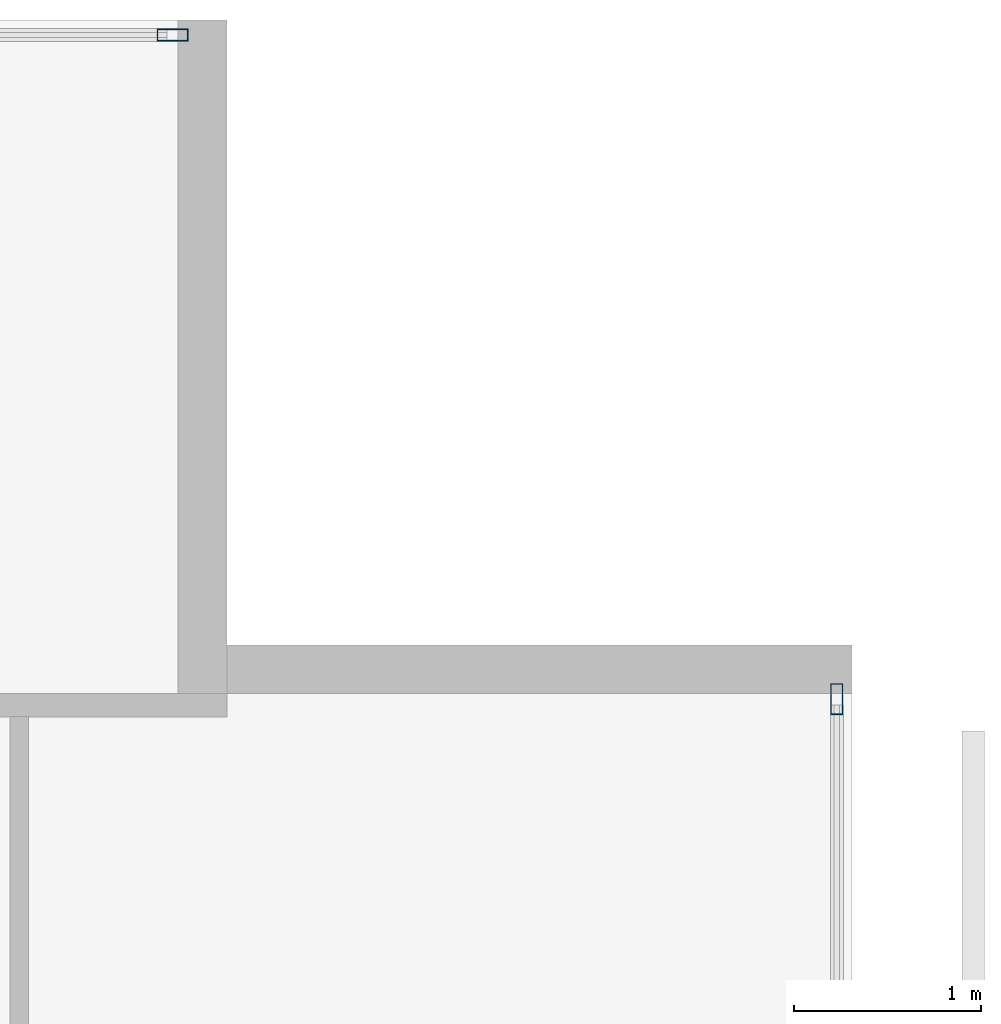
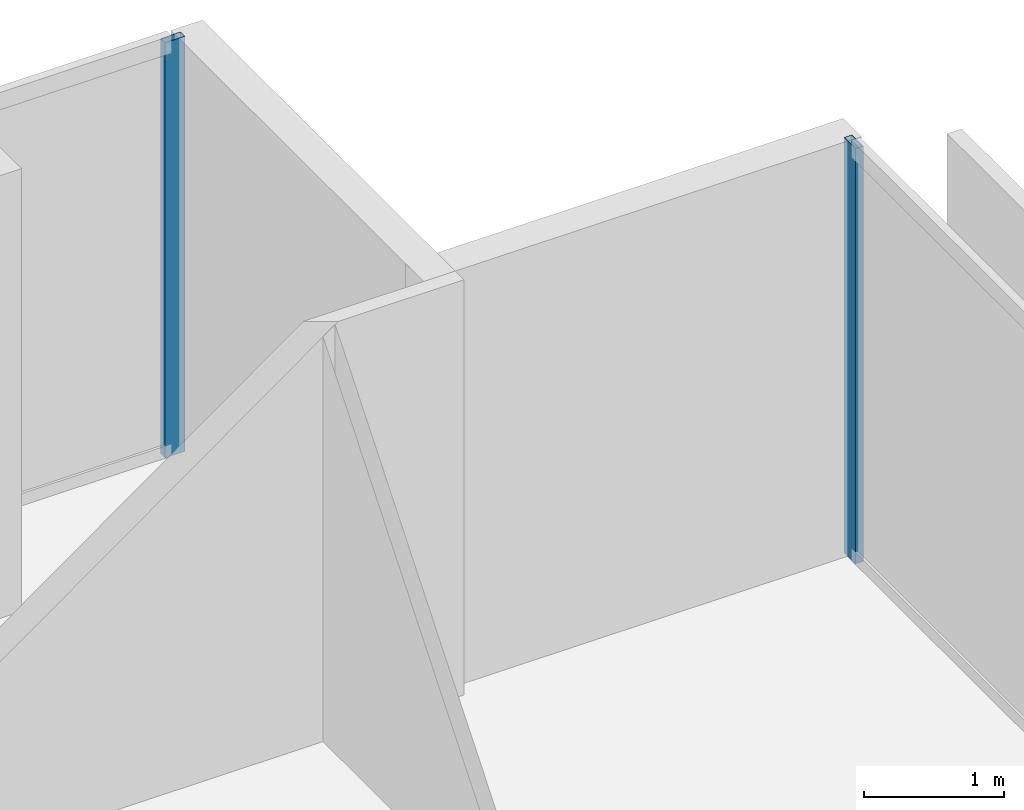
# One storey, part 31 of 40: 2 members, 2 elements without a shape of their own.
"""IFC4 building model written with IfcOpenShell, lengths in metres."""

from ifc_helpers import new_model, si_unit, direction, frame, origin, origin_2d, place, context, subcontext, project, spatial, hollow_rectangle, extrude, material, layer, layer_set, material_profile, profile_set, type_object, element, aggregate, save


model = new_model("IFC4")

# Units and contexts
model_context = context("Model", 3, precision=1e-05, world=origin(), true_north=direction((0.0, 1.0)))
body_context = subcontext(model_context, "Body", "Model", "MODEL_VIEW")
ifc_project = project(units=[si_unit("LENGTHUNIT", "METRE"), si_unit("AREAUNIT", "SQUARE_METRE"), si_unit("VOLUMEUNIT", "CUBIC_METRE"), si_unit("PLANEANGLEUNIT", "RADIAN"), si_unit("MASSUNIT", "GRAM", prefix="KILO")], contexts=[model_context])

# Site, building, storey
site_placement = place(None, origin())
site = spatial("IfcSite", under=ifc_project, at=site_placement, CompositionType="ELEMENT")
building_placement = place(site_placement, origin())
building = spatial("IfcBuilding", under=site, at=building_placement, Name="Maruvema Waterfront Hotel and Observation Tower", CompositionType="ELEMENT")
storey_placement = place(building_placement, frame((0.0, 0.0, 103.949951171875)))
storey = spatial("IfcBuildingStorey", under=building, at=storey_placement, Name="L25", CompositionType="ELEMENT", Elevation=103.949951171875)

# Curtain wall, member
ifc_material_1 = material(Name="Anodised bronze aluminium and solar-control low-E IGU", Category="aluminium")
ifc_layer = layer(ifc_material_1, 0.159912109375, Name="Zone 1 Bronze Inner Thermal Curtain Wall System CW-02")
ifc_layer_set = layer_set([ifc_layer], Name="Anodised bronze aluminium and solar-control low-E IGU")
curtain_wall_type = type_object("IfcCurtainWallType", Name="Zone 1 Bronze Inner Thermal Curtain Wall System CW-02", PredefinedType="USERDEFINED", material=ifc_layer_set)
curtain_wall_1_placement = place(storey_placement, origin())
curtain_wall_1 = element("IfcCurtainWall", 1, at=curtain_wall_1_placement, inside=storey, type_object=curtain_wall_type, Name="L25 Curtain Wall CW-L25-E", ObjectType="UNITISED CURTAIN WALL", PredefinedType="USERDEFINED")
ifc_material_2 = material(Name="Anodised architectural bronze aluminium", Category="aluminium")
ifc_material_profile = material_profile(ifc_material_2, hollow_rectangle(XDim=0.06494140625, YDim=0.1650390625, WallThickness=0.00390625, at=origin_2d()), Name="ALU-M65x165")
ifc_profile_set = profile_set([ifc_material_profile], Name="Anodised architectural bronze aluminium")
member_type = type_object("IfcMemberType", Name="Curtain Wall Primary Mullion ALU-M65x165", PredefinedType="MULLION", material=ifc_profile_set)
member_1_placement = place(storey_placement, frame((64.719970703125, 50.3701171875, 0.0), z_axis=(0.0, 0.0, 1.0), x_axis=(-1.0, 0.0, 0.0)))
member_1 = element("IfcMember", 2, at=member_1_placement, type_object=member_type, Name="CW-02 mullion 7", PredefinedType="MULLION", context=body_context, shape_type="SweptSolid", body=[
    extrude(hollow_rectangle(XDim=0.06494140625, YDim=0.1650390625, WallThickness=0.00390625, at=origin_2d()), origin(), (0.0, 0.0, 1.0), 3.610107421875),
])
aggregate(curtain_wall_1, [member_1])

curtain_wall_2_placement = place(storey_placement, origin())
curtain_wall_2 = element("IfcCurtainWall", 3, at=curtain_wall_2_placement, inside=storey, type_object=curtain_wall_type, Name="L25 Curtain Wall CW-L25-NE", ObjectType="UNITISED CURTAIN WALL", PredefinedType="USERDEFINED")
member_2_placement = place(storey_placement, frame((61.169921875, 53.919921875, 0.0), z_axis=(0.0, 0.0, 1.0), x_axis=(0.0, -1.0, 0.0)))
member_2 = element("IfcMember", 4, at=member_2_placement, type_object=member_type, Name="CW-02 mullion 1", PredefinedType="MULLION", context=body_context, shape_type="SweptSolid", body=[
    extrude(hollow_rectangle(XDim=0.06494140625, YDim=0.1650390625, WallThickness=0.00390625, at=origin_2d()), origin(), (0.0, 0.0, 1.0), 3.610107421875),
])
aggregate(curtain_wall_2, [member_2])

save(model, "model.ifc")
